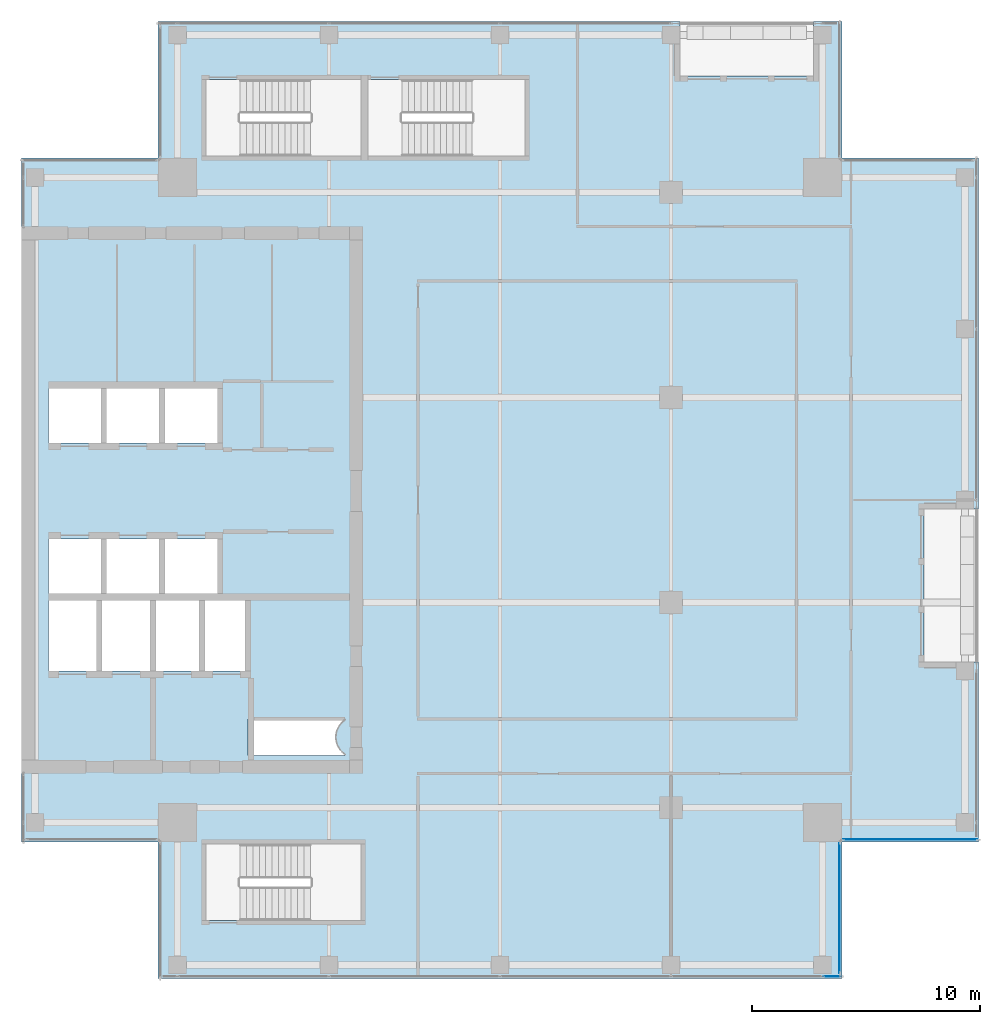
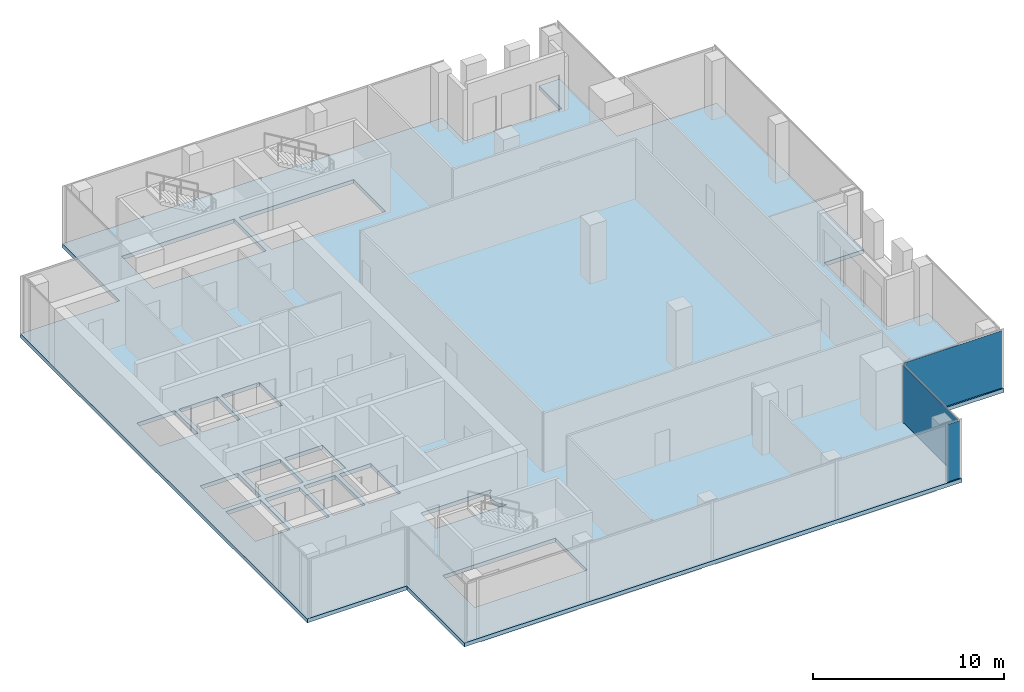
# One storey, part 21 of 29: 3 plates, 1 slab, 3 elements without a shape of their own.
"""IFC4 building model written with IfcOpenShell, lengths in metres."""

from ifc_helpers import new_model, si_unit, direction, frame, origin, origin_2d, place, context, subcontext, project, spatial, polyline, rectangle, outline, extrude, source, transform, mapped, material, layer, layer_set, type_object, element, aggregate, save


model = new_model("IFC4")

# Units and contexts
model_context = context("Model", 3, precision=1e-05, world=origin(), true_north=direction((0.0, 1.0)))
body_context = subcontext(model_context, "Body", "Model", "MODEL_VIEW")
ifc_project = project(units=[si_unit("LENGTHUNIT", "METRE"), si_unit("AREAUNIT", "SQUARE_METRE"), si_unit("VOLUMEUNIT", "CUBIC_METRE"), si_unit("PLANEANGLEUNIT", "RADIAN"), si_unit("MASSUNIT", "GRAM", prefix="KILO")], contexts=[model_context])

# Site, building, storey
site_placement = place(None, origin())
site = spatial("IfcSite", under=ifc_project, at=site_placement, CompositionType="ELEMENT")
building_placement = place(site_placement, origin())
building = spatial("IfcBuilding", under=site, at=building_placement, Name="Khomas Fold Tower", CompositionType="ELEMENT")
storey_placement = place(building_placement, frame((0.0, 0.0, 322.199951171875)))
storey = spatial("IfcBuildingStorey", under=building, at=storey_placement, Name="L73", CompositionType="ELEMENT", Elevation=322.199951171875)

# Slab
ifc_material_1 = material(Name="Concrete C40/50", Category="concrete")
ifc_layer_1 = layer(ifc_material_1, 0.25)
ifc_layer_set_1 = layer_set([ifc_layer_1], Name="Concrete C40/50")
slab_type = type_object("IfcSlabType", Name="RC floor slab 250", PredefinedType="FLOOR", material=ifc_layer_set_1)
shared_shape_1 = source(origin(), body_context, "Body", "SweptSolid", [
    extrude(outline(polyline([(6.0, 12.0), (12.0, 12.0), (12.0, 6.0), (42.0, 6.0), (42.0, 12.0), (48.0, 12.0), (48.0, 19.89990234375), (45.60009765625, 19.89990234375), (45.60009765625, 26.60009765625), (48.0, 26.60009765625), (48.0, 42.0), (42.0, 42.0), (42.0, 48.0), (40.75, 48.0), (40.75, 45.60009765625), (34.89990234375, 45.60009765625), (34.89990234375, 48.0), (12.0, 48.0), (12.0, 42.0), (6.0, 42.0), (6.0, 12.0)]), holes=[polyline([(7.199951171875, 19.5), (7.199951171875, 22.60009765625), (9.300048828125, 22.60009765625), (9.300048828125, 19.5), (7.199951171875, 19.5)]), polyline([(7.199951171875, 22.89990234375), (7.199951171875, 25.300048828125), (9.5, 25.300048828125), (9.5, 22.89990234375), (7.199951171875, 22.89990234375)]), polyline([(7.199951171875, 29.5), (7.199951171875, 31.89990234375), (9.5, 31.89990234375), (9.5, 29.5), (7.199951171875, 29.5)]), polyline([(9.550048828125, 19.5), (9.550048828125, 22.60009765625), (11.64990234375, 22.60009765625), (11.64990234375, 19.5), (9.550048828125, 19.5)]), polyline([(9.75, 22.89990234375), (9.75, 25.300048828125), (12.050048828125, 25.300048828125), (12.050048828125, 22.89990234375), (9.75, 22.89990234375)]), polyline([(9.75, 29.5), (9.75, 31.89990234375), (12.050048828125, 31.89990234375), (12.050048828125, 29.5), (9.75, 29.5)]), polyline([(11.89990234375, 19.5), (11.89990234375, 22.60009765625), (13.800048828125, 22.60009765625), (13.800048828125, 19.5), (11.89990234375, 19.5)]), polyline([(12.300048828125, 22.89990234375), (12.300048828125, 25.300048828125), (14.60009765625, 25.300048828125), (14.60009765625, 22.89990234375), (12.300048828125, 22.89990234375)]), polyline([(12.300048828125, 29.5), (12.300048828125, 31.89990234375), (14.60009765625, 31.89990234375), (14.60009765625, 29.5), (12.300048828125, 29.5)]), polyline([(14.050048828125, 19.5), (14.050048828125, 22.60009765625), (15.949951171875, 22.60009765625), (15.949951171875, 19.5), (14.050048828125, 19.5)]), polyline([(14.10009765625, 8.550048828125), (14.10009765625, 11.89990234375), (20.89990234375, 11.89990234375), (20.89990234375, 8.550048828125), (14.10009765625, 8.550048828125)]), polyline([(14.10009765625, 42.10009765625), (14.10009765625, 45.449951171875), (20.89990234375, 45.449951171875), (20.89990234375, 42.10009765625), (14.10009765625, 42.10009765625)]), polyline([(15.949951171875, 15.800048828125), (15.949951171875, 17.39990234375), (20.199951171875, 17.39990234375), (20.199951171875, 17.348388671875), (20.199951171875, 17.348388671875), (20.12890625, 17.295654296875), (20.063720703125, 17.236328125), (20.00439453125, 17.1708984375), (19.95166015625, 17.10009765625), (19.90625, 17.0244140625), (19.868408203125, 16.9443359375), (19.8388671875, 16.861328125), (19.8173828125, 16.775634765625), (19.80419921875, 16.688232421875), (19.800048828125, 16.60009765625), (19.80419921875, 16.51171875), (19.8173828125, 16.42431640625), (19.8388671875, 16.338623046875), (19.868408203125, 16.255615234375), (19.90625, 16.17578125), (19.95166015625, 16.10009765625), (20.00439453125, 16.029052734375), (20.063720703125, 15.963623046875), (20.12890625, 15.904296875), (20.199951171875, 15.851806640625), (20.199951171875, 15.851806640625), (20.199951171875, 15.800048828125), (15.949951171875, 15.800048828125)]), polyline([(21.199951171875, 42.10009765625), (21.199951171875, 45.449951171875), (28.10009765625, 45.449951171875), (28.10009765625, 42.10009765625), (21.199951171875, 42.10009765625)])]), origin(), (0.0, 0.0, 1.0), 0.25),
])
slab_placement = place(storey_placement, frame((0.0, 0.0, -0.25)))
element("IfcSlab", 1, at=slab_placement, inside=storey, type_object=slab_type, Name="S-L73", PredefinedType="FLOOR", context=body_context, shape_type="MappedRepresentation", body=[
    mapped(shared_shape_1, transform((0.0, 0.0, 0.0))),
])

# Curtain wall, plate
ifc_material_2 = material(Name="Aluminium framed double glazing", Category="aluminium")
curtain_wall_type = type_object("IfcCurtainWallType", Name="SK-Unitised clear-glass wall, upper floors CW3", PredefinedType="NOTDEFINED", material=ifc_material_2)
curtain_wall_1_placement = place(storey_placement, origin())
curtain_wall_1 = element("IfcCurtainWall", 2, at=curtain_wall_1_placement, inside=storey, type_object=curtain_wall_type, Name="CW3 run L73 00-0", PredefinedType="NOTDEFINED")
ifc_material_3 = material(Name="Clear double glazed unit")
ifc_layer_2 = layer(ifc_material_3, 0.028076171875)
ifc_layer_set_2 = layer_set([ifc_layer_2], Name="Clear double glazed unit")
plate_type = type_object("IfcPlateType", Name="SK-Unitised clear-glass wall, upper floors glass panel CW3-P", PredefinedType="CURTAIN_PANEL", material=ifc_layer_set_2)
shared_shape_2 = source(origin(), body_context, "Body", "SweptSolid", [
    extrude(rectangle(XDim=0.77490234375, YDim=0.028076171875, at=origin_2d()), origin(), (0.0, 0.0, 1.0), 3.64990234375),
])
plate_1_placement = place(storey_placement, frame((41.5625, 6.10009765625, 0.0), z_axis=(0.0, 0.0, 1.0), x_axis=(1.0, 0.0, 0.0)))
plate_1 = element("IfcPlate", 3, at=plate_1_placement, type_object=plate_type, Name="CW3 glass panel 6", PredefinedType="CURTAIN_PANEL", context=body_context, shape_type="MappedRepresentation", body=[
    mapped(shared_shape_2, transform((0.0, 0.0, 0.0))),
])
aggregate(curtain_wall_1, [plate_1])

curtain_wall_2_placement = place(storey_placement, origin())
curtain_wall_2 = element("IfcCurtainWall", 4, at=curtain_wall_2_placement, inside=storey, type_object=curtain_wall_type, Name="CW3 corner return L73 01", PredefinedType="NOTDEFINED")
shared_shape_3 = source(origin(), body_context, "Body", "SweptSolid", [
    extrude(rectangle(XDim=5.699951171875, YDim=0.028076171875, at=origin_2d()), origin(), (0.0, 0.0, 1.0), 3.64990234375),
])
plate_2_placement = place(storey_placement, frame((41.89990234375, 9.10009765625, 0.0), z_axis=(0.0, 0.0, 1.0), x_axis=(0.0, 1.0, 0.0)))
plate_2 = element("IfcPlate", 5, at=plate_2_placement, type_object=plate_type, Name="CW3 glass panel 1", PredefinedType="CURTAIN_PANEL", context=body_context, shape_type="MappedRepresentation", body=[
    mapped(shared_shape_3, transform((0.0, 0.0, 0.0))),
])
aggregate(curtain_wall_2, [plate_2])

curtain_wall_3_placement = place(storey_placement, origin())
curtain_wall_3 = element("IfcCurtainWall", 6, at=curtain_wall_3_placement, inside=storey, type_object=curtain_wall_type, Name="CW3 corner return L73 02", PredefinedType="NOTDEFINED")
shared_shape_4 = source(origin(), body_context, "Body", "SweptSolid", [
    extrude(rectangle(XDim=5.89990234375, YDim=0.028076171875, at=origin_2d()), origin(), (0.0, 0.0, 1.0), 3.64990234375),
])
plate_3_placement = place(storey_placement, frame((45.0, 12.10009765625, 0.0), z_axis=(0.0, 0.0, 1.0), x_axis=(1.0, 0.0, 0.0)))
plate_3 = element("IfcPlate", 7, at=plate_3_placement, type_object=plate_type, Name="CW3 glass panel 1", PredefinedType="CURTAIN_PANEL", context=body_context, shape_type="MappedRepresentation", body=[
    mapped(shared_shape_4, transform((0.0, 0.0, 0.0))),
])
aggregate(curtain_wall_3, [plate_3])

save(model, "model.ifc")
